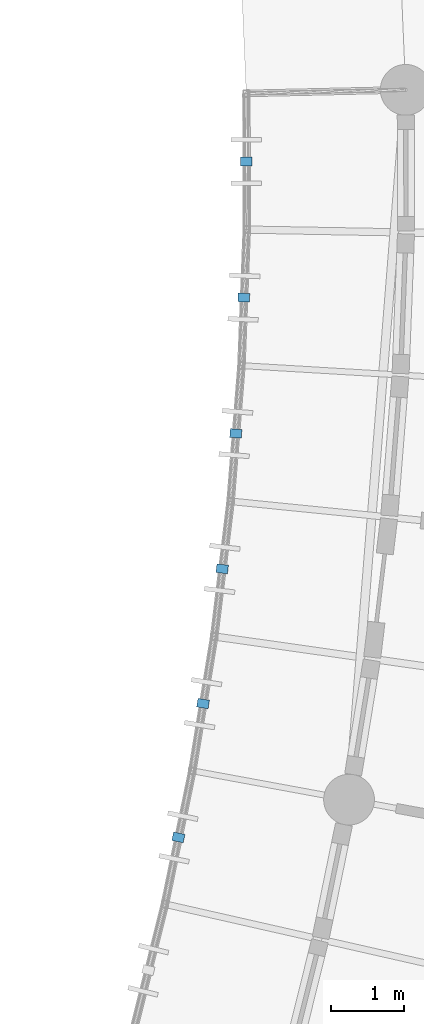
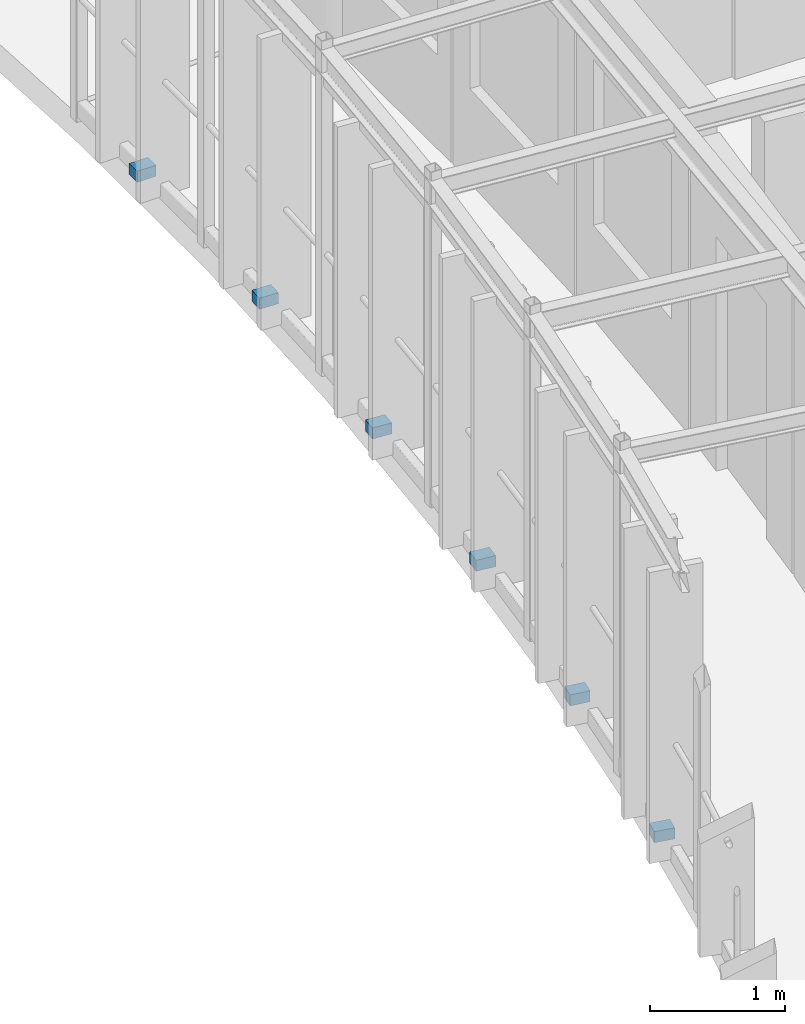
# One storey, part 119 of 137: 6 discrete accessories.
"""IFC4 building model written with IfcOpenShell, lengths in metres."""

from ifc_helpers import new_model, si_unit, direction, frame, origin, origin_2d, place, context, subcontext, project, spatial, rectangle, extrude, material, type_object, element, save


model = new_model("IFC4")

# Units and contexts
model_context = context("Model", 3, precision=1e-05, world=origin(), true_north=direction((0.0, 1.0)))
body_context = subcontext(model_context, "Body", "Model", "MODEL_VIEW")
ifc_project = project(units=[si_unit("LENGTHUNIT", "METRE"), si_unit("AREAUNIT", "SQUARE_METRE"), si_unit("VOLUMEUNIT", "CUBIC_METRE"), si_unit("PLANEANGLEUNIT", "RADIAN"), si_unit("MASSUNIT", "GRAM", prefix="KILO"), si_unit("POWERUNIT", "WATT"), si_unit("THERMODYNAMICTEMPERATUREUNIT", "KELVIN")], contexts=[model_context])

# Site, building, storey
site_placement = place(None, origin())
site = spatial("IfcSite", under=ifc_project, at=site_placement, CompositionType="ELEMENT")
building_placement = place(site_placement, origin())
building = spatial("IfcBuilding", under=site, at=building_placement, Name="Ruvembo Vaulted Housing Court", CompositionType="ELEMENT")
storey_placement = place(building_placement, frame((0.0, 0.0, 4.5)))
storey = spatial("IfcBuildingStorey", under=building, at=storey_placement, Name="L01", CompositionType="ELEMENT", Elevation=4.5)

# Discrete accessories
ifc_material = material(Name="Stainless Steel Grade 316", Category="steel")
discrete_accessory_type = type_object("IfcDiscreteAccessoryType", Name="ACC-BRACKET-SS", PredefinedType="BRACKET", material=ifc_material)
for number, where, z_axis, x_axis, name in (
    (1, (46.853759765625, 64.78564453125, 0.030029296875), (0.0, 0.0, 1.0), (0.979547164277, -0.201214693692, 0.0), "Stainless Louvre Rail Bracket #14"),
    (2, (47.193603515625, 66.630859375, 0.030029296875), (0.0, 0.0, 1.0), (0.986957060278, -0.160983729511, 0.0), "Stainless Louvre Rail Bracket #15"),
    (3, (47.45751953125, 68.488525390625, 0.030029296875), (0.0, 0.0, 1.0), (0.992734259016, -0.120327432347, 0.0), "Stainless Louvre Rail Bracket #16"),
    (4, (47.64501953125, 70.35546875, 0.030029296875), (0.0, 0.0, 1.0), (0.996826293951, -0.079607409749, 0.0), "Stainless Louvre Rail Bracket #17"),
    (5, (47.756103515625, 72.228271484375, 0.030029296875), (0.0, 0.0, 1.0), (0.999251482534, -0.038684294669, 0.0), "Stainless Louvre Rail Bracket #18"),
    (6, (47.790283203125, 74.104248046875, 0.030029296875), (0.0, 0.0, 1.0), (0.999997386231, 0.002286379328, 0.0), "Stainless Louvre Rail Bracket #19"),
):
    element("IfcDiscreteAccessory", number, at=place(storey_placement, frame(where, z_axis=z_axis, x_axis=x_axis)), inside=storey, type_object=discrete_accessory_type, Name=name, PredefinedType="BRACKET", context=body_context, shape_type="SweptSolid", body=[
        extrude(rectangle(XDim=0.159912109375, YDim=0.1201171875, at=origin_2d()), origin(), (0.0, 0.0, 1.0), 0.10009765625),
    ])

save(model, "model.ifc")
